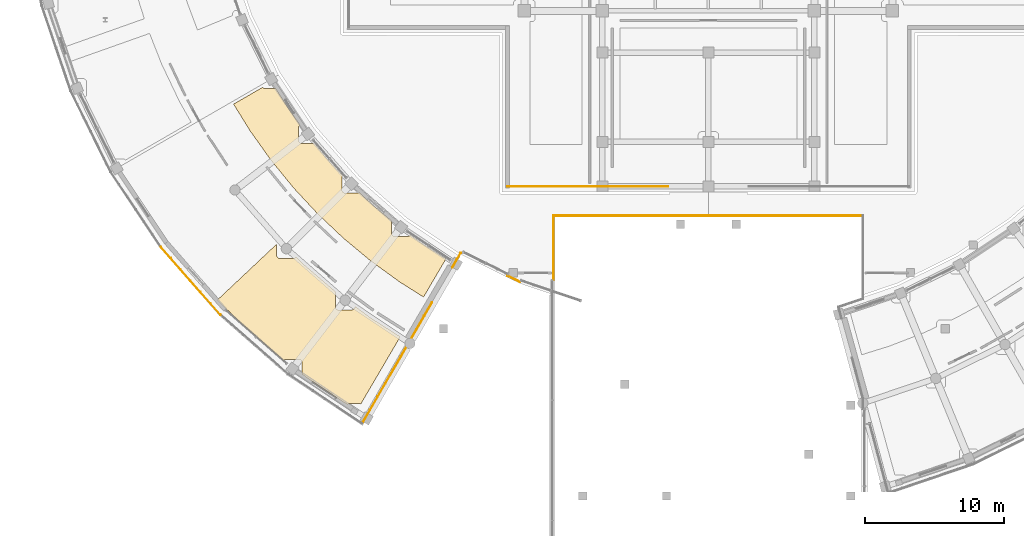
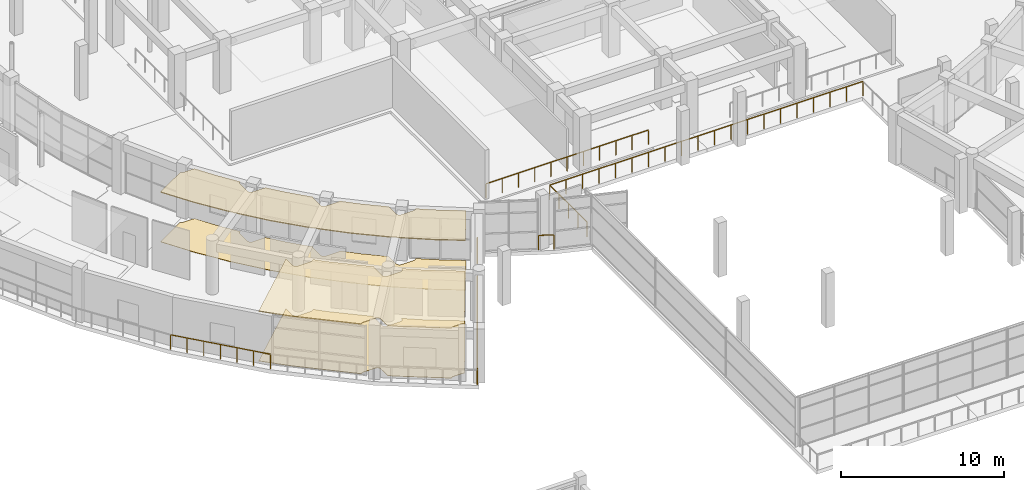
# One storey, part 71 of 87: 7 railings, 4 coverings.
"""IFC4 building model written with IfcOpenShell, lengths in metres."""

from ifc_helpers import new_model, si_unit, direction, frame, origin, origin_2d, place, context, subcontext, project, spatial, polyline, rectangle, outline, extrude, material, layer, layer_set, type_object, element, save


model = new_model("IFC4")

# Units and contexts
model_context = context("Model", 3, precision=1e-05, world=origin(), true_north=direction((0.0, 1.0)))
body_context = subcontext(model_context, "Body", "Model", "MODEL_VIEW")
ifc_project = project(units=[si_unit("LENGTHUNIT", "METRE"), si_unit("AREAUNIT", "SQUARE_METRE"), si_unit("VOLUMEUNIT", "CUBIC_METRE"), si_unit("PLANEANGLEUNIT", "RADIAN"), si_unit("MASSUNIT", "GRAM", prefix="KILO")], contexts=[model_context])

# Site, building, storey
site_placement = place(None, origin())
site = spatial("IfcSite", under=ifc_project, at=site_placement, CompositionType="ELEMENT")
building_placement = place(site_placement, origin())
building = spatial("IfcBuilding", under=site, at=building_placement, Name="Saryqyr Civic Hall", CompositionType="ELEMENT")
storey_placement = place(building_placement, frame((0.0, 0.0, 5.10009765625)))
storey = spatial("IfcBuildingStorey", under=building, at=storey_placement, Name="L01", CompositionType="ELEMENT", Elevation=5.10009765625)

# Coverings
ifc_material_1 = material(Name="Mineral-fibre acoustic ceiling tile", Category="acoustic_tile")
ifc_layer_1 = layer(ifc_material_1, 0.06005859375, Name="Mineral-fibre acoustic ceiling tile")
ifc_layer_set_1 = layer_set([ifc_layer_1], Name="Mineral-fibre acoustic ceiling tile")
covering_type_1 = type_object("IfcCoveringType", Name="INT-COV-CEIL-60", PredefinedType="CEILING", material=ifc_layer_set_1)
covering_1_placement = place(storey_placement, frame((0.0, 0.0, 3.7099609375)))
element("IfcCovering", 1, at=covering_1_placement, inside=storey, type_object=covering_type_1, Name="Acoustic ceiling Public & Accessible MGN WC L01-W", PredefinedType="CEILING", context=body_context, shape_type="SweptSolid", body=[
    extrude(outline(polyline([(26.031982421875, 53.25634765625), (26.03564453125, 53.23193359375), (26.04150390625, 53.208251953125), (26.0498046875, 53.18505859375), (26.060302734375, 53.1630859375), (26.072998046875, 53.141845703125), (26.08740234375, 53.122314453125), (26.10400390625, 53.10400390625), (26.122314453125, 53.08740234375), (26.141845703125, 53.072998046875), (26.1630859375, 53.060302734375), (26.18505859375, 53.0498046875), (26.208251953125, 53.04150390625), (26.23193359375, 53.03564453125), (26.25634765625, 53.031982421875), (26.28076171875, 53.03076171875), (27.19091796875, 53.03076171875), (27.21533203125, 53.031982421875), (27.239501953125, 53.03564453125), (27.263427734375, 53.04150390625), (27.28662109375, 53.0498046875), (27.30859375, 53.060302734375), (27.32958984375, 53.072998046875), (27.349365234375, 53.08740234375), (27.36767578125, 53.10400390625), (27.384033203125, 53.122314453125), (27.398681640625, 53.141845703125), (27.411376953125, 53.1630859375), (27.4150390625, 53.1708984375), (28.025634765625, 52.567138671875), (28.0546875, 52.54052734375), (30.279296875, 50.633544921875), (30.26953125, 50.6171875), (30.259033203125, 50.59521484375), (30.250732421875, 50.572021484375), (30.244873046875, 50.54833984375), (30.2412109375, 50.52392578125), (30.239990234375, 50.49951171875), (30.239990234375, 49.589599609375), (30.2412109375, 49.56494140625), (30.244873046875, 49.540771484375), (30.250732421875, 49.516845703125), (30.259033203125, 49.493896484375), (30.26953125, 49.4716796875), (30.281982421875, 49.45068359375), (30.296630859375, 49.430908203125), (30.313232421875, 49.41259765625), (30.331298828125, 49.396240234375), (30.35107421875, 49.381591796875), (30.372314453125, 49.368896484375), (30.394287109375, 49.3583984375), (30.41748046875, 49.350341796875), (30.441162109375, 49.34423828125), (30.465576171875, 49.3408203125), (30.489990234375, 49.339599609375), (31.39990234375, 49.339599609375), (31.424560546875, 49.3408203125), (31.44873046875, 49.34423828125), (31.47265625, 49.350341796875), (31.49560546875, 49.3583984375), (31.517822265625, 49.368896484375), (31.538818359375, 49.381591796875), (31.55859375, 49.396240234375), (31.576904296875, 49.41259765625), (31.59326171875, 49.430908203125), (31.60791015625, 49.45068359375), (31.62060546875, 49.4716796875), (31.631103515625, 49.493896484375), (31.63916015625, 49.516845703125), (31.645263671875, 49.540771484375), (31.648681640625, 49.56494140625), (31.64990234375, 49.589599609375), (31.64990234375, 49.610107421875), (32.781982421875, 48.77197265625), (32.814208984375, 48.749755859375), (34.89794921875, 47.42529296875), (34.896240234375, 47.41357421875), (34.89599609375, 47.41162109375), (32.0693359375, 42.593505859375), (32.060546875, 42.60009765625), (32.03955078125, 42.61279296875), (32.017333984375, 42.623291015625), (31.994384765625, 42.63134765625), (31.970458984375, 42.637451171875), (31.9462890625, 42.64111328125), (31.921630859375, 42.64208984375), (31.311767578125, 42.64208984375), (31.287109375, 42.64111328125), (31.262939453125, 42.637451171875), (31.239013671875, 42.63134765625), (31.216064453125, 42.623291015625), (31.19384765625, 42.61279296875), (31.1728515625, 42.60009765625), (31.153076171875, 42.58544921875), (31.135009765625, 42.569091796875), (31.118408203125, 42.55078125), (31.11376953125, 42.54443359375), (28.269775390625, 44.42919921875), (27.8505859375, 44.7392578125), (27.8505859375, 45.5556640625), (27.849609375, 45.580078125), (27.845947265625, 45.6044921875), (27.83984375, 45.62841796875), (27.831787109375, 45.6513671875), (27.8212890625, 45.673583984375), (27.80859375, 45.694580078125), (27.7939453125, 45.71435546875), (27.777587890625, 45.732421875), (27.75927734375, 45.7490234375), (27.739501953125, 45.763671875), (27.718505859375, 45.776123046875), (27.6962890625, 45.78662109375), (27.67333984375, 45.794921875), (27.6494140625, 45.80078125), (27.625244140625, 45.804443359375), (27.6005859375, 45.8056640625), (26.74072265625, 45.8056640625), (26.71630859375, 45.804443359375), (26.69189453125, 45.80078125), (26.668212890625, 45.794921875), (26.64501953125, 45.78662109375), (26.622802734375, 45.776123046875), (26.601806640625, 45.763671875), (26.58203125, 45.7490234375), (26.56396484375, 45.732421875), (26.54736328125, 45.71435546875), (26.54736328125, 45.714111328125), (23.244384765625, 48.610595703125), (21.78173828125, 50.056884765625), (26.03076171875, 54.0576171875), (26.03076171875, 53.28076171875), (26.031982421875, 53.25634765625)])), origin(), (0.0, 0.0, 1.0), 0.06005859375),
])
covering_2_placement = place(storey_placement, frame((0.0, 0.0, 3.7099609375)))
element("IfcCovering", 2, at=covering_2_placement, inside=storey, type_object=covering_type_1, Name="Acoustic ceiling Ceremonial Waiting Gallery", PredefinedType="CEILING", context=body_context, shape_type="SweptSolid", body=[
    extrude(outline(polyline([(25.043212890625, 65.293212890625), (25.061279296875, 65.276611328125), (25.0810546875, 65.26220703125), (25.10205078125, 65.24951171875), (25.124267578125, 65.239013671875), (25.147216796875, 65.230712890625), (25.171142578125, 65.224853515625), (25.1953125, 65.22119140625), (25.219970703125, 65.219970703125), (25.990478515625, 65.219970703125), (26.790771484375, 63.927734375), (26.810546875, 63.89794921875), (27.728271484375, 62.610595703125), (27.711669921875, 62.6005859375), (27.69189453125, 62.586181640625), (27.673828125, 62.569580078125), (27.6572265625, 62.551513671875), (27.642578125, 62.53173828125), (27.630126953125, 62.510498046875), (27.61962890625, 62.488525390625), (27.611328125, 62.46533203125), (27.60546875, 62.441650390625), (27.601806640625, 62.417236328125), (27.6005859375, 62.392822265625), (27.6005859375, 61.53271484375), (27.601806640625, 61.50830078125), (27.60546875, 61.48388671875), (27.611328125, 61.460205078125), (27.61962890625, 61.43701171875), (27.630126953125, 61.4150390625), (27.642578125, 61.393798828125), (27.6572265625, 61.374267578125), (27.673828125, 61.35595703125), (27.69189453125, 61.339599609375), (27.711669921875, 61.324951171875), (27.73291015625, 61.312255859375), (27.7548828125, 61.3017578125), (27.778076171875, 61.293701171875), (27.8017578125, 61.28759765625), (27.826171875, 61.283935546875), (27.8505859375, 61.28271484375), (28.710693359375, 61.28271484375), (28.735107421875, 61.283935546875), (28.74609375, 61.28564453125), (29.635986328125, 60.194580078125), (29.6591796875, 60.167724609375), (30.767578125, 58.975341796875), (30.764892578125, 58.9716796875), (30.752197265625, 58.950439453125), (30.74169921875, 58.928466796875), (30.7333984375, 58.9052734375), (30.7275390625, 58.881591796875), (30.723876953125, 58.857177734375), (30.72265625, 58.832763671875), (30.72265625, 57.97265625), (30.723876953125, 57.9482421875), (30.7275390625, 57.923828125), (30.7333984375, 57.900146484375), (30.74169921875, 57.876953125), (30.752197265625, 57.85498046875), (30.764892578125, 57.833740234375), (30.779296875, 57.814208984375), (30.7958984375, 57.7958984375), (30.814208984375, 57.779296875), (30.833740234375, 57.764892578125), (30.85498046875, 57.752197265625), (30.876953125, 57.74169921875), (30.900146484375, 57.7333984375), (30.923828125, 57.7275390625), (30.9482421875, 57.723876953125), (30.97265625, 57.72265625), (31.832763671875, 57.72265625), (31.857177734375, 57.723876953125), (31.881591796875, 57.7275390625), (31.9052734375, 57.7333984375), (31.928466796875, 57.74169921875), (31.950439453125, 57.752197265625), (31.9716796875, 57.764892578125), (31.9775390625, 57.769287109375), (32.939453125, 56.860107421875), (32.966064453125, 56.83642578125), (34.28515625, 55.7421875), (34.283935546875, 55.735107421875), (34.28271484375, 55.710693359375), (34.28271484375, 54.8505859375), (34.283935546875, 54.826171875), (34.28759765625, 54.8017578125), (34.293701171875, 54.778076171875), (34.3017578125, 54.7548828125), (34.312255859375, 54.73291015625), (34.324951171875, 54.711669921875), (34.339599609375, 54.69189453125), (34.35595703125, 54.673828125), (34.374267578125, 54.6572265625), (34.393798828125, 54.642578125), (34.4150390625, 54.630126953125), (34.43701171875, 54.61962890625), (34.460205078125, 54.611328125), (34.48388671875, 54.60546875), (34.50830078125, 54.601806640625), (34.53271484375, 54.6005859375), (35.392822265625, 54.6005859375), (35.417236328125, 54.601806640625), (35.441650390625, 54.60546875), (35.46533203125, 54.611328125), (35.488525390625, 54.61962890625), (35.510498046875, 54.630126953125), (35.53173828125, 54.642578125), (35.551513671875, 54.6572265625), (35.569580078125, 54.673828125), (35.586181640625, 54.69189453125), (35.6005859375, 54.711669921875), (35.61181640625, 54.730224609375), (36.645751953125, 53.97998046875), (36.67529296875, 53.960205078125), (38.1806640625, 53.010009765625), (36.57177734375, 50.267822265625), (34.877197265625, 51.337158203125), (32.81005859375, 52.837158203125), (30.84423828125, 54.4677734375), (28.98828125, 56.221923828125), (27.24951171875, 58.0927734375), (25.635498046875, 60.072021484375), (24.15283203125, 62.151611328125), (22.9423828125, 64.10595703125), (25.02783203125, 65.31005859375), (25.043212890625, 65.293212890625)])), origin(), (0.0, 0.0, 1.0), 0.06005859375),
])
ifc_material_2 = material(Name="Polished terrazzo tile", Category="stone")
ifc_layer_2 = layer(ifc_material_2, 0.030029296875, Name="Polished terrazzo tile")
ifc_layer_set_2 = layer_set([ifc_layer_2], Name="Polished terrazzo tile")
covering_type_2 = type_object("IfcCoveringType", Name="INT-COV-FLR-30", PredefinedType="FLOORING", material=ifc_layer_set_2)
covering_3_placement = place(storey_placement, origin())
element("IfcCovering", 3, at=covering_3_placement, inside=storey, type_object=covering_type_2, Name="Polished terrazzo flooring Public & Accessible MGN WC L01-W", PredefinedType="FLOORING", context=body_context, shape_type="SweptSolid", body=[
    extrude(outline(polyline([(26.031982421875, 53.25634765625), (26.03564453125, 53.23193359375), (26.04150390625, 53.208251953125), (26.0498046875, 53.18505859375), (26.060302734375, 53.1630859375), (26.072998046875, 53.141845703125), (26.08740234375, 53.122314453125), (26.10400390625, 53.10400390625), (26.122314453125, 53.08740234375), (26.141845703125, 53.072998046875), (26.1630859375, 53.060302734375), (26.18505859375, 53.0498046875), (26.208251953125, 53.04150390625), (26.23193359375, 53.03564453125), (26.25634765625, 53.031982421875), (26.28076171875, 53.03076171875), (27.19091796875, 53.03076171875), (27.21533203125, 53.031982421875), (27.239501953125, 53.03564453125), (27.263427734375, 53.04150390625), (27.28662109375, 53.0498046875), (27.30859375, 53.060302734375), (27.32958984375, 53.072998046875), (27.349365234375, 53.08740234375), (27.36767578125, 53.10400390625), (27.384033203125, 53.122314453125), (27.398681640625, 53.141845703125), (27.411376953125, 53.1630859375), (27.4150390625, 53.1708984375), (28.025634765625, 52.567138671875), (28.0546875, 52.54052734375), (30.279296875, 50.633544921875), (30.26953125, 50.6171875), (30.259033203125, 50.59521484375), (30.250732421875, 50.572021484375), (30.244873046875, 50.54833984375), (30.2412109375, 50.52392578125), (30.239990234375, 50.49951171875), (30.239990234375, 49.589599609375), (30.2412109375, 49.56494140625), (30.244873046875, 49.540771484375), (30.250732421875, 49.516845703125), (30.259033203125, 49.493896484375), (30.26953125, 49.4716796875), (30.281982421875, 49.45068359375), (30.296630859375, 49.430908203125), (30.313232421875, 49.41259765625), (30.331298828125, 49.396240234375), (30.35107421875, 49.381591796875), (30.372314453125, 49.368896484375), (30.394287109375, 49.3583984375), (30.41748046875, 49.350341796875), (30.441162109375, 49.34423828125), (30.465576171875, 49.3408203125), (30.489990234375, 49.339599609375), (31.39990234375, 49.339599609375), (31.424560546875, 49.3408203125), (31.44873046875, 49.34423828125), (31.47265625, 49.350341796875), (31.49560546875, 49.3583984375), (31.517822265625, 49.368896484375), (31.538818359375, 49.381591796875), (31.55859375, 49.396240234375), (31.576904296875, 49.41259765625), (31.59326171875, 49.430908203125), (31.60791015625, 49.45068359375), (31.62060546875, 49.4716796875), (31.631103515625, 49.493896484375), (31.63916015625, 49.516845703125), (31.645263671875, 49.540771484375), (31.648681640625, 49.56494140625), (31.64990234375, 49.589599609375), (31.64990234375, 49.610107421875), (32.781982421875, 48.77197265625), (32.814208984375, 48.749755859375), (34.89794921875, 47.42529296875), (34.896240234375, 47.41357421875), (34.89599609375, 47.41162109375), (32.0693359375, 42.593505859375), (32.060546875, 42.60009765625), (32.03955078125, 42.61279296875), (32.017333984375, 42.623291015625), (31.994384765625, 42.63134765625), (31.970458984375, 42.637451171875), (31.9462890625, 42.64111328125), (31.921630859375, 42.64208984375), (31.311767578125, 42.64208984375), (31.287109375, 42.64111328125), (31.262939453125, 42.637451171875), (31.239013671875, 42.63134765625), (31.216064453125, 42.623291015625), (31.19384765625, 42.61279296875), (31.1728515625, 42.60009765625), (31.153076171875, 42.58544921875), (31.135009765625, 42.569091796875), (31.118408203125, 42.55078125), (31.11376953125, 42.54443359375), (28.269775390625, 44.42919921875), (27.8505859375, 44.7392578125), (27.8505859375, 45.5556640625), (27.849609375, 45.580078125), (27.845947265625, 45.6044921875), (27.83984375, 45.62841796875), (27.831787109375, 45.6513671875), (27.8212890625, 45.673583984375), (27.80859375, 45.694580078125), (27.7939453125, 45.71435546875), (27.777587890625, 45.732421875), (27.75927734375, 45.7490234375), (27.739501953125, 45.763671875), (27.718505859375, 45.776123046875), (27.6962890625, 45.78662109375), (27.67333984375, 45.794921875), (27.6494140625, 45.80078125), (27.625244140625, 45.804443359375), (27.6005859375, 45.8056640625), (26.74072265625, 45.8056640625), (26.71630859375, 45.804443359375), (26.69189453125, 45.80078125), (26.668212890625, 45.794921875), (26.64501953125, 45.78662109375), (26.622802734375, 45.776123046875), (26.601806640625, 45.763671875), (26.58203125, 45.7490234375), (26.56396484375, 45.732421875), (26.54736328125, 45.71435546875), (26.54736328125, 45.714111328125), (23.244384765625, 48.610595703125), (21.78173828125, 50.056884765625), (26.03076171875, 54.0576171875), (26.03076171875, 53.28076171875), (26.031982421875, 53.25634765625)])), origin(), (0.0, 0.0, 1.0), 0.02978515625),
])
covering_4_placement = place(storey_placement, origin())
element("IfcCovering", 4, at=covering_4_placement, inside=storey, type_object=covering_type_2, Name="Polished terrazzo flooring Ceremonial Waiting Gallery", PredefinedType="FLOORING", context=body_context, shape_type="SweptSolid", body=[
    extrude(outline(polyline([(25.043212890625, 65.293212890625), (25.061279296875, 65.276611328125), (25.0810546875, 65.26220703125), (25.10205078125, 65.24951171875), (25.124267578125, 65.239013671875), (25.147216796875, 65.230712890625), (25.171142578125, 65.224853515625), (25.1953125, 65.22119140625), (25.219970703125, 65.219970703125), (25.990478515625, 65.219970703125), (26.790771484375, 63.927734375), (26.810546875, 63.89794921875), (27.728271484375, 62.610595703125), (27.711669921875, 62.6005859375), (27.69189453125, 62.586181640625), (27.673828125, 62.569580078125), (27.6572265625, 62.551513671875), (27.642578125, 62.53173828125), (27.630126953125, 62.510498046875), (27.61962890625, 62.488525390625), (27.611328125, 62.46533203125), (27.60546875, 62.441650390625), (27.601806640625, 62.417236328125), (27.6005859375, 62.392822265625), (27.6005859375, 61.53271484375), (27.601806640625, 61.50830078125), (27.60546875, 61.48388671875), (27.611328125, 61.460205078125), (27.61962890625, 61.43701171875), (27.630126953125, 61.4150390625), (27.642578125, 61.393798828125), (27.6572265625, 61.374267578125), (27.673828125, 61.35595703125), (27.69189453125, 61.339599609375), (27.711669921875, 61.324951171875), (27.73291015625, 61.312255859375), (27.7548828125, 61.3017578125), (27.778076171875, 61.293701171875), (27.8017578125, 61.28759765625), (27.826171875, 61.283935546875), (27.8505859375, 61.28271484375), (28.710693359375, 61.28271484375), (28.735107421875, 61.283935546875), (28.74609375, 61.28564453125), (29.635986328125, 60.194580078125), (29.6591796875, 60.167724609375), (30.767578125, 58.975341796875), (30.764892578125, 58.9716796875), (30.752197265625, 58.950439453125), (30.74169921875, 58.928466796875), (30.7333984375, 58.9052734375), (30.7275390625, 58.881591796875), (30.723876953125, 58.857177734375), (30.72265625, 58.832763671875), (30.72265625, 57.97265625), (30.723876953125, 57.9482421875), (30.7275390625, 57.923828125), (30.7333984375, 57.900146484375), (30.74169921875, 57.876953125), (30.752197265625, 57.85498046875), (30.764892578125, 57.833740234375), (30.779296875, 57.814208984375), (30.7958984375, 57.7958984375), (30.814208984375, 57.779296875), (30.833740234375, 57.764892578125), (30.85498046875, 57.752197265625), (30.876953125, 57.74169921875), (30.900146484375, 57.7333984375), (30.923828125, 57.7275390625), (30.9482421875, 57.723876953125), (30.97265625, 57.72265625), (31.832763671875, 57.72265625), (31.857177734375, 57.723876953125), (31.881591796875, 57.7275390625), (31.9052734375, 57.7333984375), (31.928466796875, 57.74169921875), (31.950439453125, 57.752197265625), (31.9716796875, 57.764892578125), (31.9775390625, 57.769287109375), (32.939453125, 56.860107421875), (32.966064453125, 56.83642578125), (34.28515625, 55.7421875), (34.283935546875, 55.735107421875), (34.28271484375, 55.710693359375), (34.28271484375, 54.8505859375), (34.283935546875, 54.826171875), (34.28759765625, 54.8017578125), (34.293701171875, 54.778076171875), (34.3017578125, 54.7548828125), (34.312255859375, 54.73291015625), (34.324951171875, 54.711669921875), (34.339599609375, 54.69189453125), (34.35595703125, 54.673828125), (34.374267578125, 54.6572265625), (34.393798828125, 54.642578125), (34.4150390625, 54.630126953125), (34.43701171875, 54.61962890625), (34.460205078125, 54.611328125), (34.48388671875, 54.60546875), (34.50830078125, 54.601806640625), (34.53271484375, 54.6005859375), (35.392822265625, 54.6005859375), (35.417236328125, 54.601806640625), (35.441650390625, 54.60546875), (35.46533203125, 54.611328125), (35.488525390625, 54.61962890625), (35.510498046875, 54.630126953125), (35.53173828125, 54.642578125), (35.551513671875, 54.6572265625), (35.569580078125, 54.673828125), (35.586181640625, 54.69189453125), (35.6005859375, 54.711669921875), (35.61181640625, 54.730224609375), (36.645751953125, 53.97998046875), (36.67529296875, 53.960205078125), (38.1806640625, 53.010009765625), (36.57177734375, 50.267822265625), (34.877197265625, 51.337158203125), (32.81005859375, 52.837158203125), (30.84423828125, 54.4677734375), (28.98828125, 56.221923828125), (27.24951171875, 58.0927734375), (25.635498046875, 60.072021484375), (24.15283203125, 62.151611328125), (22.9423828125, 64.10595703125), (25.02783203125, 65.31005859375), (25.043212890625, 65.293212890625)])), origin(), (0.0, 0.0, 1.0), 0.02978515625),
])

# Railings
ifc_material_3 = material(Name="Warm brushed brass and laminated glass", Category="glass")
ifc_layer_3 = layer(ifc_material_3, 0.06005859375, Name="Warm brushed brass and laminated glass")
ifc_layer_set_3 = layer_set([ifc_layer_3], Name="Warm brushed brass and laminated glass")
railing_type = type_object("IfcRailingType", Name="INT-RLG-BAL-1100", PredefinedType="BALUSTRADE", material=ifc_layer_set_3)
railing_1_placement = place(storey_placement, frame((42.60009765625, 58.199951171875, 0.0)))
element("IfcRailing", 5, at=railing_1_placement, inside=storey, type_object=railing_type, Name="Perimeter safety balustrade V1-JNTGA-L01-11-G01", PredefinedType="BALUSTRADE", context=body_context, shape_type="SweptSolid", body=[
    extrude(rectangle(XDim=0.048095703125, YDim=0.048095703125, at=origin_2d()), frame((0.0, 0.0, 1.076171875), z_axis=(1.0, 0.0, 0.0), x_axis=(0.0, 1.0, 0.0)), (0.0, 0.0, 1.0), 11.5),
    extrude(rectangle(XDim=0.0419921875, YDim=0.0419921875, at=origin_2d()), origin(), (0.0, 0.0, 1.0), 1.052001953125),
    extrude(rectangle(XDim=0.0419921875, YDim=0.0419921875, at=origin_2d()), frame((1.14990234375, 0.0, 0.0)), (0.0, 0.0, 1.0), 1.052001953125),
    extrude(rectangle(XDim=0.0419921875, YDim=0.0419921875, at=origin_2d()), frame((2.300048828125, 0.0, 0.0)), (0.0, 0.0, 1.0), 1.052001953125),
    extrude(rectangle(XDim=0.0419921875, YDim=0.0419921875, at=origin_2d()), frame((3.449951171875, 0.0, 0.0)), (0.0, 0.0, 1.0), 1.052001953125),
    extrude(rectangle(XDim=0.0419921875, YDim=0.0419921875, at=origin_2d()), frame((4.60009765625, 0.0, 0.0)), (0.0, 0.0, 1.0), 1.052001953125),
    extrude(rectangle(XDim=0.0419921875, YDim=0.0419921875, at=origin_2d()), frame((5.75, 0.0, 0.0)), (0.0, 0.0, 1.0), 1.052001953125),
    extrude(rectangle(XDim=0.0419921875, YDim=0.0419921875, at=origin_2d()), frame((6.89990234375, 0.0, 0.0)), (0.0, 0.0, 1.0), 1.052001953125),
    extrude(rectangle(XDim=0.0419921875, YDim=0.0419921875, at=origin_2d()), frame((8.050048828125, 0.0, 0.0)), (0.0, 0.0, 1.0), 1.052001953125),
    extrude(rectangle(XDim=0.0419921875, YDim=0.0419921875, at=origin_2d()), frame((9.199951171875, 0.0, 0.0)), (0.0, 0.0, 1.0), 1.052001953125),
    extrude(rectangle(XDim=0.0419921875, YDim=0.0419921875, at=origin_2d()), frame((10.35009765625, 0.0, 0.0)), (0.0, 0.0, 1.0), 1.052001953125),
    extrude(rectangle(XDim=0.0419921875, YDim=0.0419921875, at=origin_2d()), frame((11.5, 0.0, 0.0)), (0.0, 0.0, 1.0), 1.052001953125),
])
railing_2_placement = place(storey_placement, frame((39.240234375, 53.439208984375, 0.0)))
element("IfcRailing", 6, at=railing_2_placement, inside=storey, type_object=railing_type, Name="Interior deck safety balustrade L01-006", PredefinedType="BALUSTRADE", context=body_context, shape_type="SweptSolid", body=[
    extrude(rectangle(XDim=0.048095703125, YDim=0.048095703125, at=origin_2d()), frame((0.0, 0.0, 1.09619140625), z_axis=(-0.500020834101, -0.866013374876, 0.0), x_axis=(0.866013374876, -0.500020834101, 0.0)), (0.0, 0.0, 1.0), 1.2041015625),
    extrude(rectangle(XDim=0.0419921875, YDim=0.0419921875, at=origin_2d()), origin(), (0.0, 0.0, 1.0), 1.072021484375),
    extrude(rectangle(XDim=0.0419921875, YDim=0.0419921875, at=origin_2d()), frame((-0.301025390625, -0.521484375, 0.0)), (0.0, 0.0, 1.0), 1.072021484375),
    extrude(rectangle(XDim=0.0419921875, YDim=0.0419921875, at=origin_2d()), frame((-0.60205078125, -1.042724609375, 0.0)), (0.0, 0.0, 1.0), 1.072021484375),
])
railing_3_placement = place(storey_placement, frame((37.177734375, 49.866943359375, 0.0)))
element("IfcRailing", 7, at=railing_3_placement, inside=storey, type_object=railing_type, Name="Interior deck safety balustrade L01-007", PredefinedType="BALUSTRADE", context=body_context, shape_type="SweptSolid", body=[
    extrude(rectangle(XDim=0.048095703125, YDim=0.048095703125, at=origin_2d()), frame((0.0, 0.0, 1.09619140625), z_axis=(-0.499993067925, -0.866029405983, 0.0), x_axis=(0.866029405983, -0.499993067925, 0.0)), (0.0, 0.0, 1.0), 10.022216796875),
    extrude(rectangle(XDim=0.0419921875, YDim=0.0419921875, at=origin_2d()), origin(), (0.0, 0.0, 1.0), 1.072021484375),
    extrude(rectangle(XDim=0.0419921875, YDim=0.0419921875, at=origin_2d()), frame((-0.556884765625, -0.96435546875, 0.0)), (0.0, 0.0, 1.0), 1.072021484375),
    extrude(rectangle(XDim=0.0419921875, YDim=0.0419921875, at=origin_2d()), frame((-1.113525390625, -1.9287109375, 0.0)), (0.0, 0.0, 1.0), 1.072021484375),
    extrude(rectangle(XDim=0.0419921875, YDim=0.0419921875, at=origin_2d()), frame((-1.67041015625, -2.89306640625, 0.0)), (0.0, 0.0, 1.0), 1.072021484375),
    extrude(rectangle(XDim=0.0419921875, YDim=0.0419921875, at=origin_2d()), frame((-2.22705078125, -3.857421875, 0.0)), (0.0, 0.0, 1.0), 1.072021484375),
    extrude(rectangle(XDim=0.0419921875, YDim=0.0419921875, at=origin_2d()), frame((-2.783935546875, -4.822021484375, 0.0)), (0.0, 0.0, 1.0), 1.072021484375),
    extrude(rectangle(XDim=0.0419921875, YDim=0.0419921875, at=origin_2d()), frame((-3.340576171875, -5.786376953125, 0.0)), (0.0, 0.0, 1.0), 1.072021484375),
    extrude(rectangle(XDim=0.0419921875, YDim=0.0419921875, at=origin_2d()), frame((-3.8974609375, -6.750732421875, 0.0)), (0.0, 0.0, 1.0), 1.072021484375),
    extrude(rectangle(XDim=0.0419921875, YDim=0.0419921875, at=origin_2d()), frame((-4.4541015625, -7.715087890625, 0.0)), (0.0, 0.0, 1.0), 1.072021484375),
    extrude(rectangle(XDim=0.0419921875, YDim=0.0419921875, at=origin_2d()), frame((-5.010986328125, -8.679443359375, 0.0)), (0.0, 0.0, 1.0), 1.072021484375),
])
railing_4_placement = place(storey_placement, frame((21.998291015625, 48.998291015625, 0.0)))
element("IfcRailing", 8, at=railing_4_placement, inside=storey, type_object=railing_type, Name="Interior deck safety balustrade L01-010", PredefinedType="BALUSTRADE", context=body_context, shape_type="SweptSolid", body=[
    extrude(rectangle(XDim=0.048095703125, YDim=0.048095703125, at=origin_2d()), frame((0.0, 0.0, 1.09619140625), z_axis=(-0.659326405009, 0.751856829228, 0.0), x_axis=(-0.751856829228, -0.659326405009, 0.0)), (0.0, 0.0, 1.0), 6.474853515625),
    extrude(rectangle(XDim=0.0419921875, YDim=0.0419921875, at=origin_2d()), origin(), (0.0, 0.0, 1.0), 1.072021484375),
    extrude(rectangle(XDim=0.0419921875, YDim=0.0419921875, at=origin_2d()), frame((-0.71142578125, 0.811279296875, 0.0)), (0.0, 0.0, 1.0), 1.072021484375),
    extrude(rectangle(XDim=0.0419921875, YDim=0.0419921875, at=origin_2d()), frame((-1.423095703125, 1.622802734375, 0.0)), (0.0, 0.0, 1.0), 1.072021484375),
    extrude(rectangle(XDim=0.0419921875, YDim=0.0419921875, at=origin_2d()), frame((-2.134521484375, 2.43408203125, 0.0)), (0.0, 0.0, 1.0), 1.072021484375),
    extrude(rectangle(XDim=0.0419921875, YDim=0.0419921875, at=origin_2d()), frame((-2.845947265625, 3.245361328125, 0.0)), (0.0, 0.0, 1.0), 1.072021484375),
    extrude(rectangle(XDim=0.0419921875, YDim=0.0419921875, at=origin_2d()), frame((-3.5576171875, 4.056884765625, 0.0)), (0.0, 0.0, 1.0), 1.072021484375),
    extrude(rectangle(XDim=0.0419921875, YDim=0.0419921875, at=origin_2d()), frame((-4.26904296875, 4.8681640625, 0.0)), (0.0, 0.0, 1.0), 1.072021484375),
])
railing_5_placement = place(storey_placement, frame((43.47607421875, 51.350341796875, 0.0)))
element("IfcRailing", 9, at=railing_5_placement, inside=storey, type_object=railing_type, Name="Interior deck safety balustrade L01-057", PredefinedType="BALUSTRADE", context=body_context, shape_type="SweptSolid", body=[
    extrude(rectangle(XDim=0.048095703125, YDim=0.048095703125, at=origin_2d()), frame((0.0, 0.0, 1.09619140625), z_axis=(-0.896883194665, 0.442267492733, 0.0), x_axis=(-0.442267492733, -0.896883194665, 0.0)), (0.0, 0.0, 1.0), 0.96875),
    extrude(rectangle(XDim=0.0419921875, YDim=0.0419921875, at=origin_2d()), origin(), (0.0, 0.0, 1.0), 1.072021484375),
    extrude(rectangle(XDim=0.0419921875, YDim=0.0419921875, at=origin_2d()), frame((-0.868896484375, 0.428466796875, 0.0)), (0.0, 0.0, 1.0), 1.072021484375),
])
railing_6_placement = place(storey_placement, frame((68.10009765625, 56.10009765625, 0.0)))
element("IfcRailing", 10, at=railing_6_placement, inside=storey, type_object=railing_type, Name="Interior deck safety balustrade L01-073", PredefinedType="BALUSTRADE", context=body_context, shape_type="SweptSolid", body=[
    extrude(rectangle(XDim=0.048095703125, YDim=0.048095703125, at=origin_2d()), frame((0.0, 0.0, 1.09619140625), z_axis=(-1.0, 0.0, 0.0), x_axis=(0.0, -1.0, 0.0)), (0.0, 0.0, 1.0), 22.2001953125),
    extrude(rectangle(XDim=0.0419921875, YDim=0.0419921875, at=origin_2d()), origin(), (0.0, 0.0, 1.0), 1.072021484375),
    extrude(rectangle(XDim=0.0419921875, YDim=0.0419921875, at=origin_2d()), frame((-1.16845703125, 0.0, 0.0)), (0.0, 0.0, 1.0), 1.072021484375),
    extrude(rectangle(XDim=0.0419921875, YDim=0.0419921875, at=origin_2d()), frame((-2.3369140625, 0.0, 0.0)), (0.0, 0.0, 1.0), 1.072021484375),
    extrude(rectangle(XDim=0.0419921875, YDim=0.0419921875, at=origin_2d()), frame((-3.50537109375, 0.0, 0.0)), (0.0, 0.0, 1.0), 1.072021484375),
    extrude(rectangle(XDim=0.0419921875, YDim=0.0419921875, at=origin_2d()), frame((-4.673828125, 0.0, 0.0)), (0.0, 0.0, 1.0), 1.072021484375),
    extrude(rectangle(XDim=0.0419921875, YDim=0.0419921875, at=origin_2d()), frame((-5.842041015625, 0.0, 0.0)), (0.0, 0.0, 1.0), 1.072021484375),
    extrude(rectangle(XDim=0.0419921875, YDim=0.0419921875, at=origin_2d()), frame((-7.010498046875, 0.0, 0.0)), (0.0, 0.0, 1.0), 1.072021484375),
    extrude(rectangle(XDim=0.0419921875, YDim=0.0419921875, at=origin_2d()), frame((-8.178955078125, 0.0, 0.0)), (0.0, 0.0, 1.0), 1.072021484375),
    extrude(rectangle(XDim=0.0419921875, YDim=0.0419921875, at=origin_2d()), frame((-9.347412109375, 0.0, 0.0)), (0.0, 0.0, 1.0), 1.072021484375),
    extrude(rectangle(XDim=0.0419921875, YDim=0.0419921875, at=origin_2d()), frame((-10.515869140625, 0.0, 0.0)), (0.0, 0.0, 1.0), 1.072021484375),
    extrude(rectangle(XDim=0.0419921875, YDim=0.0419921875, at=origin_2d()), frame((-11.684326171875, 0.0, 0.0)), (0.0, 0.0, 1.0), 1.072021484375),
    extrude(rectangle(XDim=0.0419921875, YDim=0.0419921875, at=origin_2d()), frame((-12.852783203125, 0.0, 0.0)), (0.0, 0.0, 1.0), 1.072021484375),
    extrude(rectangle(XDim=0.0419921875, YDim=0.0419921875, at=origin_2d()), frame((-14.021240234375, 0.0, 0.0)), (0.0, 0.0, 1.0), 1.072021484375),
    extrude(rectangle(XDim=0.0419921875, YDim=0.0419921875, at=origin_2d()), frame((-15.189697265625, 0.0, 0.0)), (0.0, 0.0, 1.0), 1.072021484375),
    extrude(rectangle(XDim=0.0419921875, YDim=0.0419921875, at=origin_2d()), frame((-16.358154296875, 0.0, 0.0)), (0.0, 0.0, 1.0), 1.072021484375),
    extrude(rectangle(XDim=0.0419921875, YDim=0.0419921875, at=origin_2d()), frame((-17.5263671875, 0.0, 0.0)), (0.0, 0.0, 1.0), 1.072021484375),
    extrude(rectangle(XDim=0.0419921875, YDim=0.0419921875, at=origin_2d()), frame((-18.69482421875, 0.0, 0.0)), (0.0, 0.0, 1.0), 1.072021484375),
    extrude(rectangle(XDim=0.0419921875, YDim=0.0419921875, at=origin_2d()), frame((-19.86328125, 0.0, 0.0)), (0.0, 0.0, 1.0), 1.072021484375),
    extrude(rectangle(XDim=0.0419921875, YDim=0.0419921875, at=origin_2d()), frame((-21.03173828125, 0.0, 0.0)), (0.0, 0.0, 1.0), 1.072021484375),
    extrude(rectangle(XDim=0.0419921875, YDim=0.0419921875, at=origin_2d()), frame((-22.2001953125, 0.0, 0.0)), (0.0, 0.0, 1.0), 1.072021484375),
])
railing_7_placement = place(storey_placement, frame((45.89990234375, 56.10009765625, 0.0)))
element("IfcRailing", 11, at=railing_7_placement, inside=storey, type_object=railing_type, Name="Interior deck safety balustrade L01-074", PredefinedType="BALUSTRADE", context=body_context, shape_type="SweptSolid", body=[
    extrude(rectangle(XDim=0.048095703125, YDim=0.048095703125, at=origin_2d()), frame((0.0, 0.0, 1.09619140625), z_axis=(0.0, -1.0, 0.0), x_axis=(1.0, 0.0, 0.0)), (0.0, 0.0, 1.0), 4.60009765625),
    extrude(rectangle(XDim=0.0419921875, YDim=0.0419921875, at=origin_2d()), origin(), (0.0, 0.0, 1.0), 1.072021484375),
    extrude(rectangle(XDim=0.0419921875, YDim=0.0419921875, at=origin_2d()), frame((0.0, -1.14990234375, 0.0)), (0.0, 0.0, 1.0), 1.072021484375),
    extrude(rectangle(XDim=0.0419921875, YDim=0.0419921875, at=origin_2d()), frame((0.0, -2.300048828125, 0.0)), (0.0, 0.0, 1.0), 1.072021484375),
    extrude(rectangle(XDim=0.0419921875, YDim=0.0419921875, at=origin_2d()), frame((0.0, -3.4501953125, 0.0)), (0.0, 0.0, 1.0), 1.072021484375),
    extrude(rectangle(XDim=0.0419921875, YDim=0.0419921875, at=origin_2d()), frame((0.0, -4.60009765625, 0.0)), (0.0, 0.0, 1.0), 1.072021484375),
])

save(model, "model.ifc")
